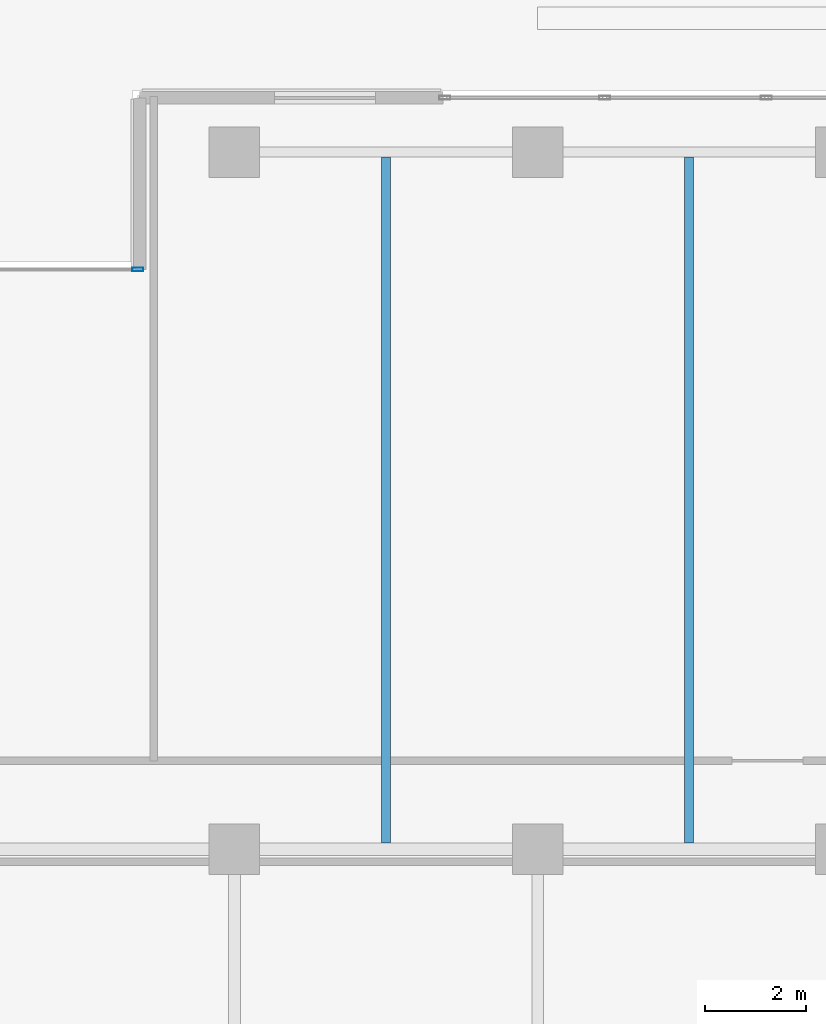
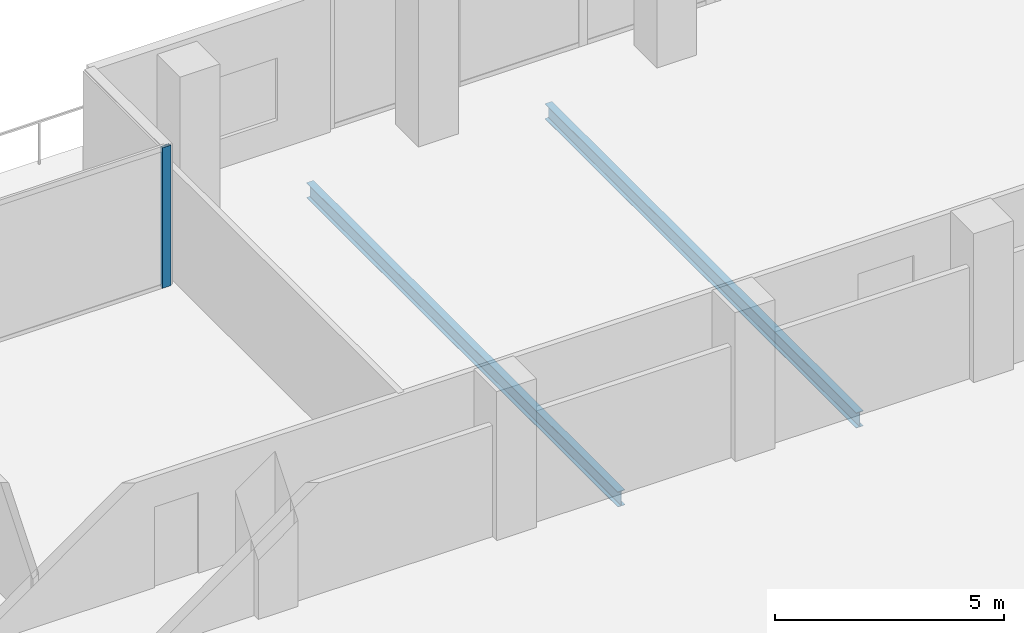
# One storey, part 15 of 38: 2 beams, 1 member, 1 element without a shape of its own.
"""IFC4 building model written with IfcOpenShell, lengths in metres."""

from ifc_helpers import new_model, si_unit, direction, frame, origin, origin_2d, place, context, subcontext, project, spatial, hollow_rectangle, i_section, extrude, material, layer, layer_set, material_profile, profile_set, type_object, element, aggregate, save


model = new_model("IFC4")

# Units and contexts
model_context = context("Model", 3, precision=1e-05, world=origin(), true_north=direction((0.0, 1.0)))
body_context = subcontext(model_context, "Body", "Model", "MODEL_VIEW")
ifc_project = project(units=[si_unit("LENGTHUNIT", "METRE"), si_unit("AREAUNIT", "SQUARE_METRE"), si_unit("VOLUMEUNIT", "CUBIC_METRE"), si_unit("PLANEANGLEUNIT", "RADIAN"), si_unit("MASSUNIT", "GRAM", prefix="KILO")], contexts=[model_context])

# Site, building, storey
site_placement = place(None, origin())
site = spatial("IfcSite", under=ifc_project, at=site_placement, CompositionType="ELEMENT")
building_placement = place(site_placement, origin())
building = spatial("IfcBuilding", under=site, at=building_placement, Name="Tanjung Sevakor Pilgrim Tower", CompositionType="ELEMENT")
storey_placement = place(building_placement, frame((0.0, 0.0, 78.2099609375)))
storey = spatial("IfcBuildingStorey", under=building, at=storey_placement, Name="L21", CompositionType="ELEMENT", Elevation=78.2099609375)

# Beams
ifc_material_1 = material(Name="Steel S355J2", Category="steel")
ifc_material_profile_1 = material_profile(ifc_material_1, i_section(OverallWidth=0.1787109375, OverallDepth=0.409423828125, WebThickness=0.0087890625, FlangeThickness=0.014404296875, FilletRadius=0.01025390625, at=origin_2d()))
ifc_profile_set_1 = profile_set([ifc_material_profile_1], Name="Steel S355J2")
beam_type = type_object("IfcBeamType", Name="BM-B-J3-UB_406x178x67", PredefinedType="JOIST", material=ifc_profile_set_1)
for number, where, z_axis, x_axis, name in (
    (1, (57.0, 42.727294921875, -0.484619140625), (0.0, 1.0, 0.0), (-1.0, 0.0, 0.0), "L21 MAIN Joist 011"),
    (2, (63.0, 42.727294921875, -0.484619140625), (0.0, 1.0, 0.0), (-1.0, 0.0, 0.0), "L21 MAIN Joist 014"),
):
    element("IfcBeam", number, at=place(storey_placement, frame(where, z_axis=z_axis, x_axis=x_axis)), inside=storey, type_object=beam_type, Name=name, PredefinedType="JOIST", context=body_context, shape_type="SweptSolid", body=[
        extrude(i_section(OverallWidth=0.1787109375, OverallDepth=0.409423828125, WebThickness=0.0087890625, FlangeThickness=0.014404296875, FilletRadius=0.01025390625, at=origin_2d()), origin(), (0.0, 0.0, 1.0), 13.57275390625),
    ])

# Curtain wall, member
ifc_material_2 = material(Name="Aluminium 6063-T6 and Low-E Glass", Category="aluminium")
ifc_layer = layer(ifc_material_2, 0.179931640625)
ifc_layer_set = layer_set([ifc_layer], Name="CW-SYS-CLEFT")
curtain_wall_type = type_object("IfcCurtainWallType", Name="CW-SYS-CLEFT", PredefinedType="NOTDEFINED", material=ifc_layer_set)
curtain_wall_placement = place(storey_placement, origin())
curtain_wall = element("IfcCurtainWall", 3, at=curtain_wall_placement, inside=storey, type_object=curtain_wall_type, Name="L21 Curtain Wall CW-CLF-L21-10", PredefinedType="NOTDEFINED")
ifc_material_3 = material(Name="Aluminium 6063-T6", Category="aluminium")
ifc_material_profile_2 = material_profile(ifc_material_3, hollow_rectangle(XDim=0.074951171875, YDim=0.219970703125, WallThickness=0.0048828125, at=origin_2d()))
ifc_profile_set_2 = profile_set([ifc_material_profile_2], Name="Aluminium 6063-T6")
member_type = type_object("IfcMemberType", Name="TYPE-CWM-2", PredefinedType="MULLION", material=ifc_profile_set_2)
member_placement = place(storey_placement, frame((52.08740234375, 54.074951171875, 0.0), z_axis=(0.0, 0.0, 1.0), x_axis=(0.0, -1.0, 0.0)))
member = element("IfcMember", 4, at=member_placement, type_object=member_type, Name="CW-CLF mullion 1", PredefinedType="MULLION", context=body_context, shape_type="SweptSolid", body=[
    extrude(hollow_rectangle(XDim=0.074951171875, YDim=0.219970703125, WallThickness=0.0048828125, at=origin_2d()), origin(), (0.0, 0.0, 1.0), 3.739990234375),
])
aggregate(curtain_wall, [member])

save(model, "model.ifc")
